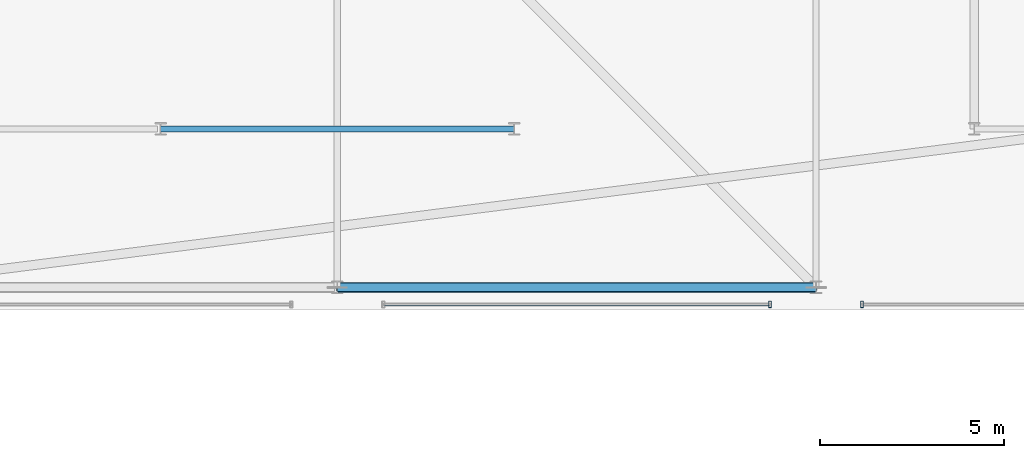
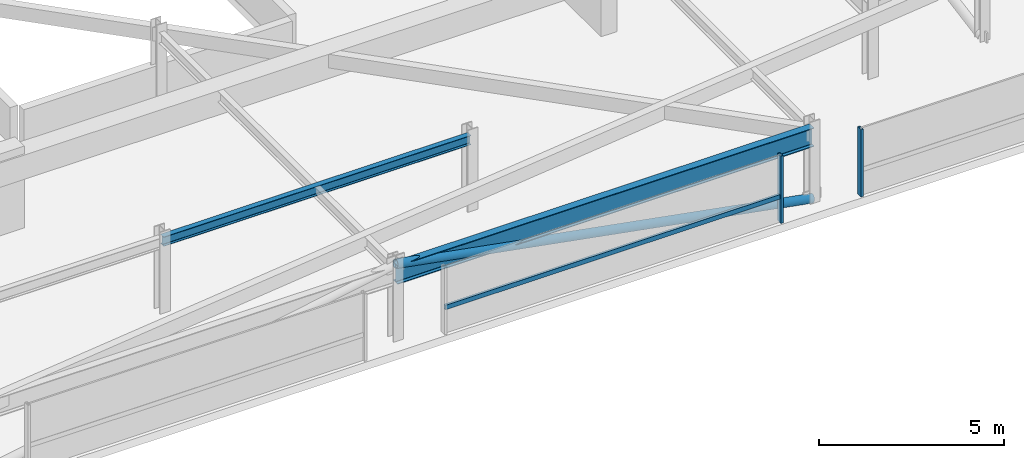
# One storey, part 29 of 42: 4 members, 2 beams, 2 elements without a shape of their own.
"""IFC4 building model written with IfcOpenShell, lengths in metres."""

from ifc_helpers import new_model, si_unit, direction, frame, origin, origin_2d, place, context, subcontext, project, spatial, hollow_rectangle, hollow_circle, i_section, extrude, material, material_profile, profile_set, type_object, element, aggregate, save


model = new_model("IFC4")

# Units and contexts
model_context = context("Model", 3, precision=1e-05, world=origin(), true_north=direction((0.0, 1.0)))
body_context = subcontext(model_context, "Body", "Model", "MODEL_VIEW")
ifc_project = project(units=[si_unit("LENGTHUNIT", "METRE"), si_unit("AREAUNIT", "SQUARE_METRE"), si_unit("VOLUMEUNIT", "CUBIC_METRE"), si_unit("PLANEANGLEUNIT", "RADIAN"), si_unit("MASSUNIT", "GRAM", prefix="KILO")], contexts=[model_context])

# Site, building, storey
site_placement = place(None, origin())
site = spatial("IfcSite", under=ifc_project, at=site_placement, CompositionType="ELEMENT")
building_placement = place(site_placement, origin())
building = spatial("IfcBuilding", under=site, at=building_placement, Name="Thornwick Lancets Civic Towers", CompositionType="ELEMENT")
storey_placement = place(building_placement, frame((0.0, 0.0, 289.5)))
storey = spatial("IfcBuildingStorey", under=building, at=storey_placement, Name="C04", CompositionType="ELEMENT", Elevation=289.5)

# Beams
ifc_material_1 = material(Name="Steel S355JR", Category="steel")
ifc_material_profile_1 = material_profile(ifc_material_1, i_section(OverallWidth=0.230224609375, OverallDepth=0.6171875, WebThickness=0.01318359375, FlangeThickness=0.022216796875, FilletRadius=0.0126953125, at=origin_2d()), Name="UKB 610x229x140")
ifc_profile_set_1 = profile_set([ifc_material_profile_1], Name="Steel S355JR")
beam_type_1 = type_object("IfcBeamType", Name="BM_GIRD_610_140", PredefinedType="BEAM", material=ifc_profile_set_1)
beam_1_placement = place(storey_placement, frame((101.5, 9.699951171875, 2.13134765625), z_axis=(-1.0, 0.0, 0.0), x_axis=(0.0, -1.0, 0.0)))
element("IfcBeam", 1, at=beam_1_placement, inside=storey, type_object=beam_type_1, Name="BM-SPINE-C04-B-9-10", PredefinedType="BEAM", context=body_context, shape_type="SweptSolid", body=[
    extrude(i_section(OverallWidth=0.230224609375, OverallDepth=0.6171875, WebThickness=0.01318359375, FlangeThickness=0.022216796875, FilletRadius=0.0126953125, at=origin_2d()), origin(), (0.0, 0.0, 1.0), 13.0),
])
ifc_material_profile_2 = material_profile(ifc_material_1, i_section(OverallWidth=0.1669921875, OverallDepth=0.310302734375, WebThickness=0.0078125, FlangeThickness=0.013671875, FilletRadius=0.0087890625, at=origin_2d()), Name="UKB 305x165x54")
ifc_profile_set_2 = profile_set([ifc_material_profile_2], Name="Steel S355JR")
beam_type_2 = type_object("IfcBeamType", Name="BM_LINTEL_305_54", PredefinedType="LINTEL", material=ifc_profile_set_2)
beam_2_placement = place(storey_placement, frame((93.300048828125, 14.0, 2.284912109375), z_axis=(-1.0, 0.0, 0.0), x_axis=(0.0, -1.0, 0.0)))
element("IfcBeam", 2, at=beam_2_placement, inside=storey, type_object=beam_type_2, Name="BM-INSP-C04-B-0-2", PredefinedType="LINTEL", context=body_context, shape_type="SweptSolid", body=[
    extrude(i_section(OverallWidth=0.1669921875, OverallDepth=0.310302734375, WebThickness=0.0078125, FlangeThickness=0.013671875, FilletRadius=0.0087890625, at=origin_2d()), origin(), (0.0, 0.0, 1.0), 9.60009765625),
])

# Curtain wall, member
ifc_material_2 = material(Name="Crown ring acoustic-louvre and glazing screen wall", Category="glass")
curtain_wall_type = type_object("IfcCurtainWallType", Name="CW_SYS_07", PredefinedType="NOTDEFINED", material=ifc_material_2)
curtain_wall_1_placement = place(storey_placement, origin())
curtain_wall_1 = element("IfcCurtainWall", 3, at=curtain_wall_1_placement, inside=storey, type_object=curtain_wall_type, Name="C04 Curtain Wall CW-C04-B-E0-S2", PredefinedType="NOTDEFINED")
ifc_material_3 = material(Name="Thermally broken bronze aluminium S355", Category="steel")
ifc_material_profile_3 = material_profile(ifc_material_3, hollow_rectangle(XDim=0.074951171875, YDim=0.179931640625, WallThickness=0.006103515625, at=origin_2d()), Name="RHS 180x75x6")
ifc_profile_set_3 = profile_set([ifc_material_profile_3], Name="Thermally broken bronze aluminium S355")
member_type_1 = type_object("IfcMemberType", Name="CW_MUL_180", PredefinedType="MULLION", material=ifc_profile_set_3)
member_1_placement = place(storey_placement, frame((100.25, 9.2353515625, 0.0), z_axis=(0.0, 0.0, 1.0), x_axis=(1.0, 0.0, 0.0)))
member_1 = element("IfcMember", 4, at=member_1_placement, type_object=member_type_1, Name="CW-C04-B-E0-S2 Mullion 1", PredefinedType="MULLION", context=body_context, shape_type="SweptSolid", body=[
    extrude(hollow_rectangle(XDim=0.074951171875, YDim=0.179931640625, WallThickness=0.006103515625, at=origin_2d()), origin(), (0.0, 0.0, 1.0), 2.219970703125),
])

curtain_wall_2_placement = place(storey_placement, origin())
curtain_wall_2 = element("IfcCurtainWall", 5, at=curtain_wall_2_placement, inside=storey, type_object=curtain_wall_type, Name="C04 Curtain Wall CW-C04-B-E0-S3", PredefinedType="NOTDEFINED")
member_2_placement = place(storey_placement, frame((102.75, 9.2353515625, 0.0), z_axis=(0.0, 0.0, 1.0), x_axis=(1.0, 0.0, 0.0)))
member_2 = element("IfcMember", 6, at=member_2_placement, type_object=member_type_1, Name="CW-C04-B-E0-S3 Mullion 0", PredefinedType="MULLION", context=body_context, shape_type="SweptSolid", body=[
    extrude(hollow_rectangle(XDim=0.074951171875, YDim=0.179931640625, WallThickness=0.006103515625, at=origin_2d()), origin(), (0.0, 0.0, 1.0), 2.219970703125),
])
aggregate(curtain_wall_2, [member_2])

# Member
ifc_material_profile_4 = material_profile(ifc_material_3, hollow_rectangle(XDim=0.074951171875, YDim=0.14990234375, WallThickness=0.0048828125, at=origin_2d()), Name="RHS 150x75x5")
ifc_profile_set_4 = profile_set([ifc_material_profile_4], Name="Thermally broken bronze aluminium S355")
member_type_2 = type_object("IfcMemberType", Name="CW_TRN_150", PredefinedType="USERDEFINED", material=ifc_profile_set_4)
member_3_placement = place(storey_placement, frame((89.77001953125, 9.2353515625, 0.85009765625), z_axis=(1.0, 0.0, 0.0), x_axis=(0.0, 1.0, 0.0)))
member_3 = element("IfcMember", 7, at=member_3_placement, type_object=member_type_2, Name="CW-C04-B-E0-S2 Transom 0", ObjectType="TRANSOM", PredefinedType="USERDEFINED", context=body_context, shape_type="SweptSolid", body=[
    extrude(hollow_rectangle(XDim=0.074951171875, YDim=0.14990234375, WallThickness=0.0048828125, at=origin_2d()), origin(), (0.0, 0.0, 1.0), 10.4599609375),
])

aggregate(curtain_wall_1, [member_1, member_3])

ifc_material_profile_5 = material_profile(ifc_material_1, hollow_circle(Radius=0.136474609375, WallThickness=0.012451171875, at=origin_2d()), Name="CHS 273x12.5")
ifc_profile_set_5 = profile_set([ifc_material_profile_5], Name="Steel S355JR")
member_type_3 = type_object("IfcMemberType", Name="MEM_CROWN_CHS273", PredefinedType="BRACE", material=ifc_profile_set_5)
member_4_placement = place(storey_placement, frame((101.5, 9.699951171875, 0.050048828125), z_axis=(-0.98351842104, 0.0, 0.180807951915), x_axis=(0.0, -1.0, 0.0)))
element("IfcMember", 8, at=member_4_placement, inside=storey, type_object=member_type_3, Name="C04 Crown Ring Lancet Rib B-S3-L", PredefinedType="BRACE", context=body_context, shape_type="SweptSolid", body=[
    extrude(hollow_circle(Radius=0.136474609375, WallThickness=0.012451171875, at=origin_2d()), origin(), (0.0, 0.0, 1.0), 13.2177734375),
])

save(model, "model.ifc")
